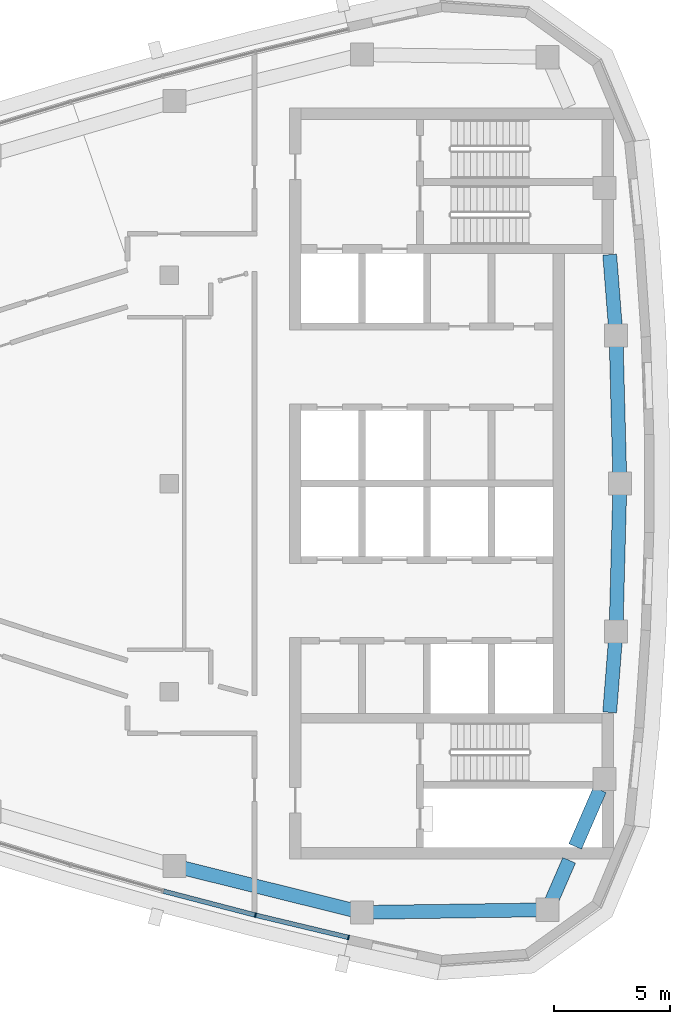
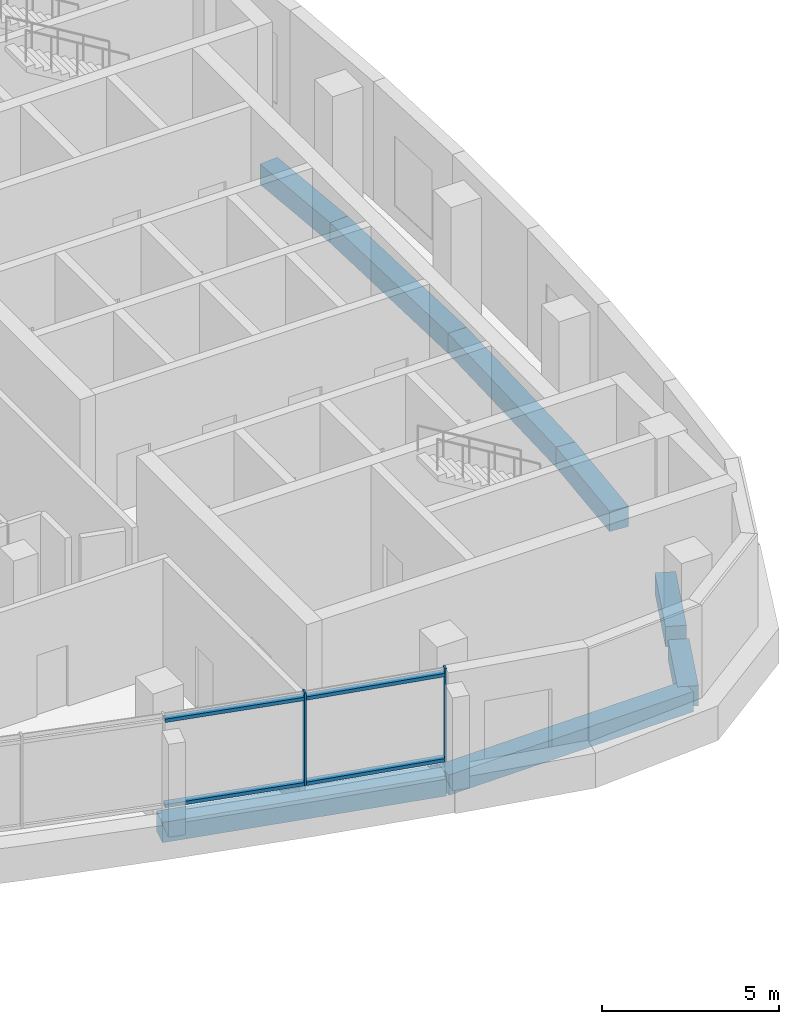
# One storey, part 4 of 15: 8 beams, 6 members, 1 element without a shape of its own.
"""IFC4 building model written with IfcOpenShell, lengths in metres."""

from ifc_helpers import new_model, si_unit, direction, frame, origin, origin_2d, place, context, subcontext, project, spatial, rectangle, extrude, material, layer, layer_set, material_profile, profile_set, type_object, element, aggregate, save


model = new_model("IFC4")

# Units and contexts
model_context = context("Model", 3, precision=1e-05, world=origin(), true_north=direction((0.0, 1.0)))
body_context = subcontext(model_context, "Body", "Model", "MODEL_VIEW")
ifc_project = project(units=[si_unit("LENGTHUNIT", "METRE"), si_unit("AREAUNIT", "SQUARE_METRE"), si_unit("VOLUMEUNIT", "CUBIC_METRE"), si_unit("PLANEANGLEUNIT", "RADIAN"), si_unit("MASSUNIT", "GRAM", prefix="KILO")], contexts=[model_context])

# Site, building, storey
site_placement = place(None, origin())
site = spatial("IfcSite", under=ifc_project, at=site_placement, CompositionType="ELEMENT")
building_placement = place(site_placement, origin())
building = spatial("IfcBuilding", under=site, at=building_placement, Name="Ostrand Prow Hotel Tower", CompositionType="ELEMENT")
storey_placement = place(building_placement, frame((0.0, 0.0, 318.60009765625)))
storey = spatial("IfcBuildingStorey", under=building, at=storey_placement, Name="C3", CompositionType="ELEMENT", Elevation=318.60009765625)

# Beams
ifc_material_1 = material(Name="Concrete C40/50", Category="concrete")
ifc_material_profile_1 = material_profile(ifc_material_1, rectangle(XDim=0.60009765625, YDim=0.699951171875, at=origin_2d()), Name="RC 600x700")
ifc_profile_set_1 = profile_set([ifc_material_profile_1], Name="Concrete C40/50")
beam_type = type_object("IfcBeamType", Name="Edge beam 600x700 C40/50", PredefinedType="SPANDREL", material=ifc_profile_set_1)
beam_1_placement = place(storey_placement, frame((45.234619140625, -16.53857421875, -0.650146484375), z_axis=(0.970456465292, -0.241276291775, 0.0), x_axis=(0.241276291775, 0.970456465292, 0.0)))
element("IfcBeam", 1, at=beam_1_placement, inside=storey, type_object=beam_type, Name="Edge beam S5-S6", PredefinedType="SPANDREL", context=body_context, shape_type="SweptSolid", body=[
    extrude(rectangle(XDim=0.60009765625, YDim=0.699951171875, at=origin_2d()), origin(), (0.0, 0.0, 1.0), 8.348876953125),
])
beam_2_placement = place(storey_placement, frame((53.3369140625, -18.552978515625, -0.650146484375), z_axis=(0.999900689486, 0.014092947356, 0.0), x_axis=(-0.014092947356, 0.999900689486, 0.0)))
element("IfcBeam", 2, at=beam_2_placement, inside=storey, type_object=beam_type, Name="Edge beam S6-SE", PredefinedType="SPANDREL", context=body_context, shape_type="SweptSolid", body=[
    extrude(rectangle(XDim=0.60009765625, YDim=0.699951171875, at=origin_2d()), origin(), (0.0, 0.0, 1.0), 8.0380859375),
])
beam_3_placement = place(storey_placement, frame((61.374267578125, -18.439697265625, -0.650146484375), z_axis=(0.398863844187, 0.91701016014, 0.0), x_axis=(-0.91701016014, 0.398863844187, 0.0)))
element("IfcBeam", 3, at=beam_3_placement, inside=storey, type_object=beam_type, Name="Edge beam SE-B1", PredefinedType="SPANDREL", context=body_context, shape_type="SweptSolid", body=[
    extrude(rectangle(XDim=0.60009765625, YDim=0.699951171875, at=origin_2d()), origin(), (0.0, 0.0, 1.0), 2.333251953125),
])
beam_4_placement = place(storey_placement, frame((62.56591796875, -15.699951171875, -0.650146484375), z_axis=(0.398799624102, 0.917038090712, 0.0), x_axis=(-0.917038090712, 0.398799624102, 0.0)))
element("IfcBeam", 4, at=beam_4_placement, inside=storey, type_object=beam_type, Name="Edge beam SE-B1", PredefinedType="SPANDREL", context=body_context, shape_type="SweptSolid", body=[
    extrude(rectangle(XDim=0.60009765625, YDim=0.699951171875, at=origin_2d()), origin(), (0.0, 0.0, 1.0), 2.671630859375),
])
beam_5_placement = place(storey_placement, frame((64.058349609375, -9.89990234375, -0.650146484375), z_axis=(0.078240080308, 0.996934546414, 0.0), x_axis=(-0.996934546414, 0.078240080308, 0.0)))
element("IfcBeam", 5, at=beam_5_placement, inside=storey, type_object=beam_type, Name="Edge beam B1-B2", PredefinedType="SPANDREL", context=body_context, shape_type="SweptSolid", body=[
    extrude(rectangle(XDim=0.60009765625, YDim=0.699951171875, at=origin_2d()), origin(), (0.0, 0.0, 1.0), 3.50732421875),
])
for number, where, z_axis, x_axis, name in (
    (6, (64.332763671875, -6.4033203125, -0.650146484375), (0.026108223987, 0.999659122221, 0.0), (-0.999659122221, 0.026108223987, 0.0), "Edge beam B2-B3"),
    (7, (64.5, 0.0, -0.650146484375), (-0.026108223987, 0.999659122221, 0.0), (-0.999659122221, -0.026108223987, 0.0), "Edge beam B3-B4"),
):
    element("IfcBeam", number, at=place(storey_placement, frame(where, z_axis=z_axis, x_axis=x_axis)), inside=storey, type_object=beam_type, Name=name, PredefinedType="SPANDREL", context=body_context, shape_type="SweptSolid", body=[
        extrude(rectangle(XDim=0.60009765625, YDim=0.699951171875, at=origin_2d()), origin(), (0.0, 0.0, 1.0), 6.405517578125),
    ])
beam_6_placement = place(storey_placement, frame((64.332763671875, 6.4033203125, -0.650146484375), z_axis=(-0.078240080308, 0.996934546414, 0.0), x_axis=(-0.996934546414, -0.078240080308, 0.0)))
element("IfcBeam", 8, at=beam_6_placement, inside=storey, type_object=beam_type, Name="Edge beam B4-B5", PredefinedType="SPANDREL", context=body_context, shape_type="SweptSolid", body=[
    extrude(rectangle(XDim=0.60009765625, YDim=0.699951171875, at=origin_2d()), origin(), (0.0, 0.0, 1.0), 3.50732421875),
])

# Curtain wall, members
ifc_material_2 = material(Name="Insulated glass in bronze anodised frame", Category="glass")
ifc_layer = layer(ifc_material_2, 0.199951171875)
ifc_layer_set = layer_set([ifc_layer], Name="Insulated glass in bronze anodised frame")
curtain_wall_type = type_object("IfcCurtainWallType", Name="Sky lobby full-height curtain wall", PredefinedType="NOTDEFINED", material=ifc_layer_set)
curtain_wall_placement = place(storey_placement, origin())
curtain_wall = element("IfcCurtainWall", 9, at=curtain_wall_placement, inside=storey, type_object=curtain_wall_type, Name="CW3 run CWS5", PredefinedType="NOTDEFINED")
ifc_material_3 = material(Name="Bronze anodised aluminium", Category="aluminium")
ifc_material_profile_2 = material_profile(ifc_material_3, rectangle(XDim=0.199951171875, YDim=0.06005859375, at=origin_2d()), Name="Mullion 60x200 bronze anodised aluminium")
ifc_profile_set_2 = profile_set([ifc_material_profile_2], Name="Bronze anodised aluminium")
member_type_1 = type_object("IfcMemberType", Name="Mullion 60x200 bronze anodised aluminium", PredefinedType="MULLION", material=ifc_profile_set_2)
member_1_placement = place(storey_placement, frame((48.734619140625, -18.6708984375, 0.89990234375), z_axis=(0.0, 0.0, 1.0), x_axis=(0.232746096028, 0.972537533869, 0.0)))
member_1 = element("IfcMember", 10, at=member_1_placement, type_object=member_type_1, Name="CW3 mullion 2", PredefinedType="MULLION", context=body_context, shape_type="SweptSolid", body=[
    extrude(rectangle(XDim=0.199951171875, YDim=0.06005859375, at=origin_2d()), origin(), (0.0, 0.0, 1.0), 3.199951171875),
])
member_2_placement = place(storey_placement, frame((52.7607421875, -19.634521484375, 0.89990234375), z_axis=(0.0, 0.0, 1.0), x_axis=(0.232746096028, 0.972537533869, 0.0)))
member_2 = element("IfcMember", 11, at=member_2_placement, type_object=member_type_1, Name="CW3 mullion 3", PredefinedType="MULLION", context=body_context, shape_type="SweptSolid", body=[
    extrude(rectangle(XDim=0.199951171875, YDim=0.06005859375, at=origin_2d()), origin(), (0.0, 0.0, 1.0), 3.199951171875),
])
ifc_material_4 = material(Name="Bronze anodised aluminium", Category="aluminium")
ifc_material_profile_3 = material_profile(ifc_material_4, rectangle(XDim=0.199951171875, YDim=0.1201171875, at=origin_2d()), Name="Transom 120x200 bronze anodised aluminium")
ifc_profile_set_3 = profile_set([ifc_material_profile_3], Name="Bronze anodised aluminium")
member_type_2 = type_object("IfcMemberType", Name="Transom 120x200 bronze anodised aluminium", PredefinedType="USERDEFINED", material=ifc_profile_set_3)
member_3_placement = place(storey_placement, frame((44.7578125, -17.63427734375, 0.9599609375), z_axis=(0.967664917891, -0.252239185461, 0.0), x_axis=(0.252239185461, 0.967664917891, 0.0)))
member_3 = element("IfcMember", 12, at=member_3_placement, type_object=member_type_2, Name="CW3 transom 1.1", ObjectType="TRANSOM", PredefinedType="USERDEFINED", context=body_context, shape_type="SweptSolid", body=[
    extrude(rectangle(XDim=0.199951171875, YDim=0.1201171875, at=origin_2d()), origin(), (0.0, 0.0, 1.0), 4.07958984375),
])
member_4_placement = place(storey_placement, frame((44.7578125, -17.63427734375, 3.89990234375), z_axis=(0.967664917891, -0.252239185461, 0.0), x_axis=(0.252239185461, 0.967664917891, 0.0)))
member_4 = element("IfcMember", 13, at=member_4_placement, type_object=member_type_2, Name="CW3 transom 1.2", ObjectType="TRANSOM", PredefinedType="USERDEFINED", context=body_context, shape_type="SweptSolid", body=[
    extrude(rectangle(XDim=0.199951171875, YDim=0.1201171875, at=origin_2d()), origin(), (0.0, 0.0, 1.0), 4.07958984375),
])
member_5_placement = place(storey_placement, frame((48.763671875, -18.677978515625, 0.9599609375), z_axis=(0.972542980558, -0.232723335675, 0.0), x_axis=(0.232723335675, 0.972542980558, 0.0)))
member_5 = element("IfcMember", 14, at=member_5_placement, type_object=member_type_2, Name="CW3 transom 2.1", ObjectType="TRANSOM", PredefinedType="USERDEFINED", context=body_context, shape_type="SweptSolid", body=[
    extrude(rectangle(XDim=0.199951171875, YDim=0.1201171875, at=origin_2d()), origin(), (0.0, 0.0, 1.0), 4.079833984375),
])
member_6_placement = place(storey_placement, frame((48.763671875, -18.677978515625, 3.89990234375), z_axis=(0.972542980558, -0.232723335675, 0.0), x_axis=(0.232723335675, 0.972542980558, 0.0)))
member_6 = element("IfcMember", 15, at=member_6_placement, type_object=member_type_2, Name="CW3 transom 2.2", ObjectType="TRANSOM", PredefinedType="USERDEFINED", context=body_context, shape_type="SweptSolid", body=[
    extrude(rectangle(XDim=0.199951171875, YDim=0.1201171875, at=origin_2d()), origin(), (0.0, 0.0, 1.0), 4.079833984375),
])
aggregate(curtain_wall, [member_1, member_2, member_3, member_4, member_5, member_6])

save(model, "model.ifc")
